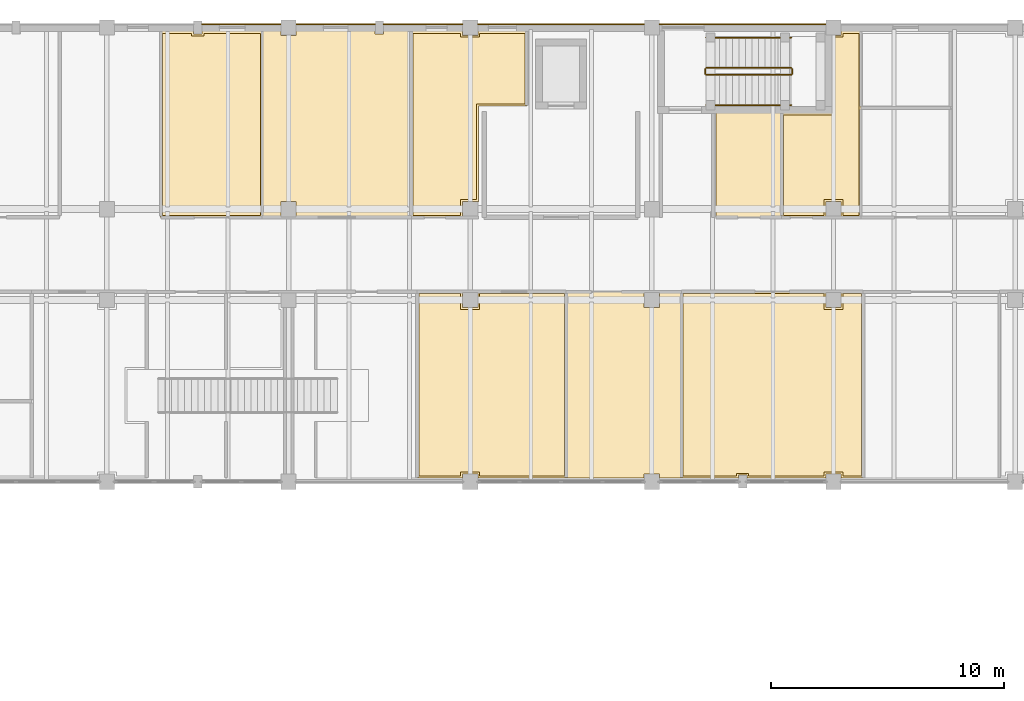
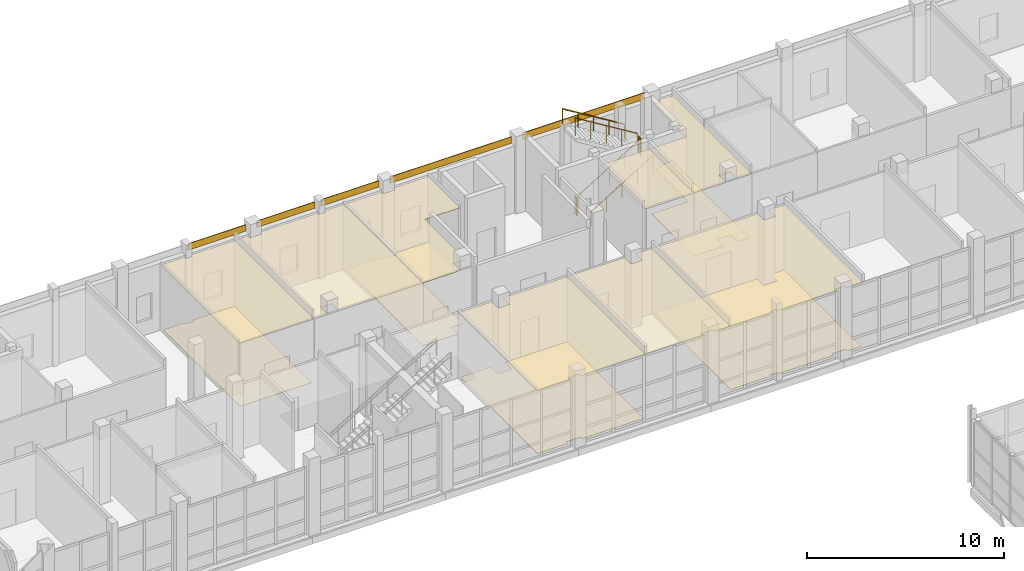
# One storey, part 125 of 131: 18 coverings, 6 railings.
"""IFC4 building model written with IfcOpenShell, lengths in metres."""

from ifc_helpers import new_model, si_unit, direction, frame, origin, origin_2d, place, context, subcontext, project, spatial, polyline, rectangle, circle, outline, extrude, material, layer, layer_set, type_object, element, save


model = new_model("IFC4")

# Units and contexts
model_context = context("Model", 3, precision=1e-05, world=origin(), true_north=direction((0.0, 1.0)))
body_context = subcontext(model_context, "Body", "Model", "MODEL_VIEW")
ifc_project = project(units=[si_unit("LENGTHUNIT", "METRE"), si_unit("AREAUNIT", "SQUARE_METRE"), si_unit("VOLUMEUNIT", "CUBIC_METRE"), si_unit("PLANEANGLEUNIT", "RADIAN"), si_unit("MASSUNIT", "GRAM", prefix="KILO")], contexts=[model_context])

# Site, building, storey
site_placement = place(None, origin())
site = spatial("IfcSite", under=ifc_project, at=site_placement, CompositionType="ELEMENT")
building_placement = place(site_placement, origin())
building = spatial("IfcBuilding", under=site, at=building_placement, Name="Celorna Specialist Clinic", CompositionType="ELEMENT")
storey_placement = place(building_placement, origin())
storey = spatial("IfcBuildingStorey", under=building, at=storey_placement, Name="L00", CompositionType="ELEMENT", Elevation=0.0)

# Coverings
ifc_material_1 = material(Name="Hygienic acoustic mineral-fibre ceiling")
ifc_layer_1 = layer(ifc_material_1, 0.030029296875, Name="Hygienic acoustic mineral-fibre ceiling")
ifc_layer_set_1 = layer_set([ifc_layer_1], Name="Hygienic acoustic mineral-fibre ceiling")
covering_type_1 = type_object("IfcCoveringType", Name="CE-01", PredefinedType="CEILING", material=ifc_layer_set_1)
covering_1_placement = place(storey_placement, frame((0.0, 0.0, 3.989990234375)))
element("IfcCovering", 1, at=covering_1_placement, inside=storey, type_object=covering_type_1, Name="Acoustic ceiling L00-062", PredefinedType="CEILING", context=body_context, shape_type="SweptSolid", body=[
    extrude(outline(polyline([(108.8798828125, 104.6650390625), (108.8798828125, 104.6298828125), (108.8701171875, 104.6298828125), (108.8701171875, 103.969970703125), (109.530029296875, 103.969970703125), (109.530029296875, 104.6298828125), (109.52001953125, 104.6298828125), (109.52001953125, 104.6650390625), (113.3349609375, 104.6650390625), (113.3349609375, 96.655029296875), (109.530029296875, 96.655029296875), (109.530029296875, 96.830078125), (108.8701171875, 96.830078125), (108.8701171875, 96.655029296875), (106.905029296875, 96.655029296875), (106.905029296875, 104.6650390625), (108.8798828125, 104.6650390625)])), origin(), (0.0, 0.0, 1.0), 0.030029296875),
])
covering_2_placement = place(storey_placement, frame((0.0, 0.0, 3.989990234375)))
element("IfcCovering", 2, at=covering_2_placement, inside=storey, type_object=covering_type_1, Name="Acoustic ceiling L00-063", PredefinedType="CEILING", context=body_context, shape_type="SweptSolid", body=[
    extrude(outline(polyline([(116.679931640625, 104.6650390625), (116.679931640625, 104.6298828125), (116.669921875, 104.6298828125), (116.669921875, 103.969970703125), (117.330078125, 103.969970703125), (117.330078125, 104.6298828125), (117.320068359375, 104.6298828125), (117.320068359375, 104.6650390625), (118.284912109375, 104.6650390625), (118.284912109375, 96.655029296875), (117.330078125, 96.655029296875), (117.330078125, 96.830078125), (116.669921875, 96.830078125), (116.669921875, 96.655029296875), (113.304931640625, 96.655029296875), (113.304931640625, 104.6650390625), (116.679931640625, 104.6650390625)])), origin(), (0.0, 0.0, 1.0), 0.030029296875),
])
covering_3_placement = place(storey_placement, frame((0.0, 0.0, 3.989990234375)))
element("IfcCovering", 3, at=covering_3_placement, inside=storey, type_object=covering_type_1, Name="Acoustic ceiling L00-064", PredefinedType="CEILING", context=body_context, shape_type="SweptSolid", body=[
    extrude(outline(polyline([(124.47998046875, 104.6650390625), (124.47998046875, 104.6298828125), (124.469970703125, 104.6298828125), (124.469970703125, 103.969970703125), (125.1298828125, 103.969970703125), (125.1298828125, 104.6298828125), (125.1201171875, 104.6298828125), (125.1201171875, 104.6650390625), (126.0849609375, 104.6650390625), (126.0849609375, 96.655029296875), (125.1298828125, 96.655029296875), (125.1298828125, 96.830078125), (124.469970703125, 96.830078125), (124.469970703125, 96.655029296875), (121.080078125, 96.655029296875), (121.080078125, 96.780029296875), (120.719970703125, 96.780029296875), (120.719970703125, 96.655029296875), (118.2548828125, 96.655029296875), (118.2548828125, 104.6650390625), (124.47998046875, 104.6650390625)])), origin(), (0.0, 0.0, 1.0), 0.030029296875),
])
covering_4_placement = place(storey_placement, frame((0.0, 0.0, 3.989990234375)))
element("IfcCovering", 4, at=covering_4_placement, inside=storey, type_object=covering_type_1, Name="Acoustic ceiling L00-076", PredefinedType="CEILING", context=body_context, shape_type="SweptSolid", body=[
    extrude(outline(polyline([(97.320068359375, 115.844970703125), (97.320068359375, 115.719970703125), (97.679931640625, 115.719970703125), (97.679931640625, 115.844970703125), (100.284912109375, 115.844970703125), (100.284912109375, 107.8349609375), (95.905029296875, 107.8349609375), (95.905029296875, 115.844970703125), (97.320068359375, 115.844970703125)])), origin(), (0.0, 0.0, 1.0), 0.030029296875),
])
covering_5_placement = place(storey_placement, frame((0.0, 0.0, 3.989990234375)))
element("IfcCovering", 5, at=covering_5_placement, inside=storey, type_object=covering_type_1, Name="Acoustic ceiling L00-077", PredefinedType="CEILING", context=body_context, shape_type="SweptSolid", body=[
    extrude(outline(polyline([(101.070068359375, 115.844970703125), (101.070068359375, 115.669921875), (101.72998046875, 115.669921875), (101.72998046875, 115.844970703125), (105.1201171875, 115.844970703125), (105.1201171875, 115.719970703125), (105.47998046875, 115.719970703125), (105.47998046875, 115.844970703125), (106.68505859375, 115.844970703125), (106.68505859375, 107.8349609375), (101.719970703125, 107.8349609375), (101.719970703125, 107.8701171875), (101.72998046875, 107.8701171875), (101.72998046875, 108.530029296875), (101.070068359375, 108.530029296875), (101.070068359375, 107.8701171875), (101.080078125, 107.8701171875), (101.080078125, 107.8349609375), (100.2548828125, 107.8349609375), (100.2548828125, 115.844970703125), (101.070068359375, 115.844970703125)])), origin(), (0.0, 0.0, 1.0), 0.030029296875),
])
covering_6_placement = place(storey_placement, frame((0.0, 0.0, 3.989990234375)))
element("IfcCovering", 6, at=covering_6_placement, inside=storey, type_object=covering_type_1, Name="Acoustic ceiling L00-078", PredefinedType="CEILING", context=body_context, shape_type="SweptSolid", body=[
    extrude(outline(polyline([(108.8701171875, 115.844970703125), (108.8701171875, 115.669921875), (109.530029296875, 115.669921875), (109.530029296875, 115.844970703125), (111.635009765625, 115.844970703125), (111.635009765625, 112.635009765625), (109.56494140625, 112.635009765625), (109.56494140625, 108.52001953125), (109.530029296875, 108.52001953125), (109.530029296875, 108.530029296875), (108.8701171875, 108.530029296875), (108.8701171875, 107.8701171875), (108.8798828125, 107.8701171875), (108.8798828125, 107.8349609375), (106.655029296875, 107.8349609375), (106.655029296875, 115.844970703125), (108.8701171875, 115.844970703125)])), origin(), (0.0, 0.0, 1.0), 0.030029296875),
])
covering_7_placement = place(storey_placement, frame((0.0, 0.0, 3.989990234375)))
element("IfcCovering", 7, at=covering_7_placement, inside=storey, type_object=covering_type_1, Name="Acoustic ceiling L00-079", PredefinedType="CEILING", context=body_context, shape_type="SweptSolid", body=[
    extrude(outline(polyline([(119.7451171875, 112.3349609375), (122.5849609375, 112.3349609375), (122.5849609375, 107.8349609375), (119.7451171875, 107.8349609375), (119.7451171875, 112.3349609375)])), origin(), (0.0, 0.0, 1.0), 0.030029296875),
])
covering_8_placement = place(storey_placement, frame((0.0, 0.0, 3.989990234375)))
element("IfcCovering", 8, at=covering_8_placement, inside=storey, type_object=covering_type_1, Name="Acoustic ceiling L00-080", PredefinedType="CEILING", context=body_context, shape_type="SweptSolid", body=[
    extrude(outline(polyline([(122.554931640625, 107.8349609375), (122.554931640625, 112.3349609375), (124.72509765625, 112.3349609375), (124.72509765625, 115.669921875), (125.1298828125, 115.669921875), (125.1298828125, 115.844970703125), (125.985107421875, 115.844970703125), (125.985107421875, 107.8349609375), (125.1201171875, 107.8349609375), (125.1201171875, 107.8701171875), (125.1298828125, 107.8701171875), (125.1298828125, 108.530029296875), (124.469970703125, 108.530029296875), (124.469970703125, 107.8701171875), (124.47998046875, 107.8701171875), (124.47998046875, 107.8349609375), (122.554931640625, 107.8349609375)])), origin(), (0.0, 0.0, 1.0), 0.030029296875),
])
ifc_material_2 = material(Name="Pero Pinheiro Lioz limestone rainscreen cladding", Category="masonry")
ifc_layer_2 = layer(ifc_material_2, 0.044921875, Name="Pero Pinheiro Lioz limestone rainscreen cladding")
ifc_layer_set_2 = layer_set([ifc_layer_2], Name="Pero Pinheiro Lioz limestone rainscreen cladding")
covering_type_2 = type_object("IfcCoveringType", Name="CL-01", PredefinedType="CLADDING", material=ifc_layer_set_2)
for number, where, z_axis, x_axis, name in (
    (9, (99.375, 116.1474609375, 4.14013671875), (0.0, 0.0, 1.0), (1.0, 0.0, 0.0), "Lioz spandrel cladding #170"),
    (10, (103.425048828125, 116.1474609375, 4.14013671875), (0.0, 0.0, 1.0), (1.0, 0.0, 0.0), "Lioz spandrel cladding #171"),
    (11, (107.175048828125, 116.1474609375, 4.14013671875), (0.0, 0.0, 1.0), (1.0, 0.0, 0.0), "Lioz spandrel cladding #172"),
):
    element("IfcCovering", number, at=place(storey_placement, frame(where, z_axis=z_axis, x_axis=x_axis)), inside=storey, type_object=covering_type_2, Name=name, PredefinedType="CLADDING", context=body_context, shape_type="SweptSolid", body=[
        extrude(rectangle(XDim=3.39990234375, YDim=0.044921875, at=origin_2d()), origin(), (0.0, 0.0, 1.0), 0.39990234375),
    ])
for number, where, z_axis, x_axis, name in (
    (12, (113.10009765625, 116.1474609375, 4.14013671875), (0.0, 0.0, 1.0), (1.0, 0.0, 0.0), "Lioz spandrel cladding #173"),
    (13, (120.89990234375, 116.1474609375, 4.14013671875), (0.0, 0.0, 1.0), (1.0, 0.0, 0.0), "Lioz spandrel cladding #174"),
):
    element("IfcCovering", number, at=place(storey_placement, frame(where, z_axis=z_axis, x_axis=x_axis)), inside=storey, type_object=covering_type_2, Name=name, PredefinedType="CLADDING", context=body_context, shape_type="SweptSolid", body=[
        extrude(rectangle(XDim=7.14990234375, YDim=0.044921875, at=origin_2d()), origin(), (0.0, 0.0, 1.0), 0.39990234375),
    ])
ifc_material_3 = material(Name="Seamless antimicrobial clinical vinyl and Lioz terrazzo flooring")
ifc_layer_3 = layer(ifc_material_3, 0.02001953125, Name="Seamless antimicrobial clinical vinyl and Lioz terrazzo flooring")
ifc_layer_set_3 = layer_set([ifc_layer_3], Name="Seamless antimicrobial clinical vinyl and Lioz terrazzo flooring")
covering_type_3 = type_object("IfcCoveringType", Name="FL-01", PredefinedType="FLOORING", material=ifc_layer_set_3)
covering_9_placement = place(storey_placement, origin())
element("IfcCovering", 14, at=covering_9_placement, inside=storey, type_object=covering_type_3, Name="Antimicrobial clinical flooring L00-062", PredefinedType="FLOORING", context=body_context, shape_type="SweptSolid", body=[
    extrude(outline(polyline([(106.9951171875, 104.574951171875), (108.7900390625, 104.574951171875), (108.7900390625, 103.889892578125), (109.610107421875, 103.889892578125), (109.610107421875, 104.574951171875), (113.2451171875, 104.574951171875), (113.2451171875, 96.7451171875), (109.610107421875, 96.7451171875), (109.610107421875, 96.909912109375), (108.7900390625, 96.909912109375), (108.7900390625, 96.7451171875), (106.9951171875, 96.7451171875), (106.9951171875, 104.574951171875)])), origin(), (0.0, 0.0, 1.0), 0.02001953125),
])
covering_10_placement = place(storey_placement, origin())
element("IfcCovering", 15, at=covering_10_placement, inside=storey, type_object=covering_type_3, Name="Antimicrobial clinical flooring L00-064", PredefinedType="FLOORING", context=body_context, shape_type="SweptSolid", body=[
    extrude(outline(polyline([(118.344970703125, 104.574951171875), (124.389892578125, 104.574951171875), (124.389892578125, 103.889892578125), (125.2099609375, 103.889892578125), (125.2099609375, 104.574951171875), (125.9951171875, 104.574951171875), (125.9951171875, 96.7451171875), (125.2099609375, 96.7451171875), (125.2099609375, 96.909912109375), (124.389892578125, 96.909912109375), (124.389892578125, 96.7451171875), (121.159912109375, 96.7451171875), (121.159912109375, 96.860107421875), (120.639892578125, 96.860107421875), (120.639892578125, 96.7451171875), (118.344970703125, 96.7451171875), (118.344970703125, 104.574951171875)])), origin(), (0.0, 0.0, 1.0), 0.02001953125),
])
covering_11_placement = place(storey_placement, origin())
element("IfcCovering", 16, at=covering_11_placement, inside=storey, type_object=covering_type_3, Name="Antimicrobial clinical flooring L00-076", PredefinedType="FLOORING", context=body_context, shape_type="SweptSolid", body=[
    extrude(outline(polyline([(95.9951171875, 115.7548828125), (97.239990234375, 115.7548828125), (97.239990234375, 115.639892578125), (97.760009765625, 115.639892578125), (97.760009765625, 115.7548828125), (100.195068359375, 115.7548828125), (100.195068359375, 107.925048828125), (95.9951171875, 107.925048828125), (95.9951171875, 115.7548828125)])), origin(), (0.0, 0.0, 1.0), 0.02001953125),
])
covering_12_placement = place(storey_placement, origin())
element("IfcCovering", 17, at=covering_12_placement, inside=storey, type_object=covering_type_3, Name="Antimicrobial clinical flooring L00-078", PredefinedType="FLOORING", context=body_context, shape_type="SweptSolid", body=[
    extrude(outline(polyline([(106.7451171875, 115.7548828125), (108.7900390625, 115.7548828125), (108.7900390625, 115.590087890625), (109.610107421875, 115.590087890625), (109.610107421875, 115.7548828125), (111.544921875, 115.7548828125), (111.544921875, 112.72509765625), (109.47509765625, 112.72509765625), (109.47509765625, 108.610107421875), (108.7900390625, 108.610107421875), (108.7900390625, 107.925048828125), (106.7451171875, 107.925048828125), (106.7451171875, 115.7548828125)])), origin(), (0.0, 0.0, 1.0), 0.02001953125),
])
covering_13_placement = place(storey_placement, origin())
element("IfcCovering", 18, at=covering_13_placement, inside=storey, type_object=covering_type_3, Name="Antimicrobial clinical flooring L00-080", PredefinedType="FLOORING", context=body_context, shape_type="SweptSolid", body=[
    extrude(outline(polyline([(124.389892578125, 107.925048828125), (122.64501953125, 107.925048828125), (122.64501953125, 112.2451171875), (124.81494140625, 112.2451171875), (124.81494140625, 115.590087890625), (125.2099609375, 115.590087890625), (125.2099609375, 115.7548828125), (125.89501953125, 115.7548828125), (125.89501953125, 107.925048828125), (125.2099609375, 107.925048828125), (125.2099609375, 108.610107421875), (124.389892578125, 108.610107421875), (124.389892578125, 107.925048828125)])), origin(), (0.0, 0.0, 1.0), 0.02001953125),
])

# Railings
ifc_material_4 = material(Name="Powder-coated steel S355", Category="steel")
railing_type_1 = type_object("IfcRailingType", Name="GR-01", PredefinedType="GUARDRAIL", material=ifc_material_4)
railing_1_placement = place(storey_placement, frame((119.340087890625, 113.969970703125, 0.17138671875)))
element("IfcRailing", 19, at=railing_1_placement, inside=storey, type_object=railing_type_1, Name="L00 ST-03 stair guard 1", PredefinedType="GUARDRAIL", context=body_context, shape_type="SweptSolid", body=[
    extrude(circle(Radius=0.02392578125, at=origin_2d()), frame((0.0, 0.0, 1.09619140625), z_axis=(0.852850264322, 0.0, 0.5221555579), x_axis=(0.0, 1.0, 0.0)), (0.0, 0.0, 1.0), 4.267822265625),
    extrude(circle(Radius=0.02099609375, at=origin_2d()), origin(), (0.0, 0.0, 1.0), 1.072021484375),
    extrude(circle(Radius=0.02099609375, at=origin_2d()), frame((0.909912109375, 0.0, 0.55712890625)), (0.0, 0.0, 1.0), 1.072021484375),
    extrude(circle(Radius=0.02099609375, at=origin_2d()), frame((1.81982421875, 0.0, 1.1142578125)), (0.0, 0.0, 1.0), 1.072021484375),
    extrude(circle(Radius=0.02099609375, at=origin_2d()), frame((2.72998046875, 0.0, 1.67138671875)), (0.0, 0.0, 1.0), 1.072021484375),
    extrude(circle(Radius=0.02099609375, at=origin_2d()), frame((3.639892578125, 0.0, 2.228515625)), (0.0, 0.0, 1.0), 1.072021484375),
])
railing_2_placement = place(storey_placement, frame((123.030029296875, 114.02001953125, 2.39990234375)))
element("IfcRailing", 20, at=railing_2_placement, inside=storey, type_object=railing_type_1, Name="L00 ST-03 stair guard 2", PredefinedType="GUARDRAIL", context=body_context, shape_type="SweptSolid", body=[
    extrude(circle(Radius=0.02392578125, at=origin_2d()), frame((0.0, 0.0, 1.09619140625), z_axis=(0.0, 1.0, 0.0), x_axis=(-1.0, 0.0, 0.0)), (0.0, 0.0, 1.0), 0.199951171875),
    extrude(circle(Radius=0.02099609375, at=origin_2d()), origin(), (0.0, 0.0, 1.0), 1.072021484375),
    extrude(circle(Radius=0.02099609375, at=origin_2d()), frame((0.0, 0.199951171875, 0.0)), (0.0, 0.0, 1.0), 1.072021484375),
])
railing_3_placement = place(storey_placement, frame((122.97998046875, 114.27001953125, 2.571533203125)))
element("IfcRailing", 21, at=railing_3_placement, inside=storey, type_object=railing_type_1, Name="L00 ST-03 stair guard 3", PredefinedType="GUARDRAIL", context=body_context, shape_type="SweptSolid", body=[
    extrude(circle(Radius=0.02392578125, at=origin_2d()), frame((0.0, 0.0, 1.09619140625), z_axis=(-0.852850264322, 0.0, 0.5221555579), x_axis=(0.0, -1.0, 0.0)), (0.0, 0.0, 1.0), 4.267822265625),
    extrude(circle(Radius=0.02099609375, at=origin_2d()), origin(), (0.0, 0.0, 1.0), 1.072021484375),
    extrude(circle(Radius=0.02099609375, at=origin_2d()), frame((-0.909912109375, 0.0, 0.55712890625)), (0.0, 0.0, 1.0), 1.072021484375),
    extrude(circle(Radius=0.02099609375, at=origin_2d()), frame((-1.81982421875, 0.0, 1.1142578125)), (0.0, 0.0, 1.0), 1.072021484375),
    extrude(circle(Radius=0.02099609375, at=origin_2d()), frame((-2.72998046875, 0.0, 1.67138671875)), (0.0, 0.0, 1.0), 1.072021484375),
    extrude(circle(Radius=0.02099609375, at=origin_2d()), frame((-3.639892578125, 0.0, 2.228515625)), (0.0, 0.0, 1.0), 1.072021484375),
])
railing_4_placement = place(storey_placement, frame((119.2900390625, 114.02001953125, 0.0)))
element("IfcRailing", 22, at=railing_4_placement, inside=storey, type_object=railing_type_1, Name="L00 ST-03 stair guard 4", PredefinedType="GUARDRAIL", context=body_context, shape_type="SweptSolid", body=[
    extrude(circle(Radius=0.02392578125, at=origin_2d()), frame((0.0, 0.0, 1.09619140625), z_axis=(0.0, 1.0, 0.0), x_axis=(-1.0, 0.0, 0.0)), (0.0, 0.0, 1.0), 0.199951171875),
    extrude(circle(Radius=0.02099609375, at=origin_2d()), origin(), (0.0, 0.0, 1.0), 1.072021484375),
    extrude(circle(Radius=0.02099609375, at=origin_2d()), frame((0.0, 0.199951171875, 0.0)), (0.0, 0.0, 1.0), 1.072021484375),
])
ifc_material_5 = material(Name="Brushed stainless steel handrail", Category="steel")
railing_type_2 = type_object("IfcRailingType", Name="HR-01", PredefinedType="HANDRAIL", material=ifc_material_5)
railing_5_placement = place(storey_placement, frame((119.340087890625, 112.669921875, 0.17138671875)))
element("IfcRailing", 23, at=railing_5_placement, inside=storey, type_object=railing_type_2, Name="L00 ST-03 stair handrail 1", PredefinedType="HANDRAIL", context=body_context, shape_type="SweptSolid", body=[
    extrude(circle(Radius=0.02392578125, at=origin_2d()), frame((0.0, 0.0, 0.8759765625), z_axis=(0.852850264322, 0.0, 0.5221555579), x_axis=(0.0, 1.0, 0.0)), (0.0, 0.0, 1.0), 4.267822265625),
    extrude(circle(Radius=0.02099609375, at=origin_2d()), origin(), (0.0, 0.0, 1.0), 0.851806640625),
    extrude(circle(Radius=0.02099609375, at=origin_2d()), frame((0.909912109375, 0.0, 0.55712890625)), (0.0, 0.0, 1.0), 0.851806640625),
    extrude(circle(Radius=0.02099609375, at=origin_2d()), frame((1.81982421875, 0.0, 1.1142578125)), (0.0, 0.0, 1.0), 0.851806640625),
    extrude(circle(Radius=0.02099609375, at=origin_2d()), frame((2.72998046875, 0.0, 1.67138671875)), (0.0, 0.0, 1.0), 0.851806640625),
    extrude(circle(Radius=0.02099609375, at=origin_2d()), frame((3.639892578125, 0.0, 2.228515625)), (0.0, 0.0, 1.0), 0.851806640625),
])
railing_6_placement = place(storey_placement, frame((122.97998046875, 115.570068359375, 2.571533203125)))
element("IfcRailing", 24, at=railing_6_placement, inside=storey, type_object=railing_type_2, Name="L00 ST-03 stair handrail 2", PredefinedType="HANDRAIL", context=body_context, shape_type="SweptSolid", body=[
    extrude(circle(Radius=0.02392578125, at=origin_2d()), frame((0.0, 0.0, 0.8759765625), z_axis=(-0.852850264322, 0.0, 0.5221555579), x_axis=(0.0, -1.0, 0.0)), (0.0, 0.0, 1.0), 4.267822265625),
    extrude(circle(Radius=0.02099609375, at=origin_2d()), origin(), (0.0, 0.0, 1.0), 0.851806640625),
    extrude(circle(Radius=0.02099609375, at=origin_2d()), frame((-0.909912109375, 0.0, 0.55712890625)), (0.0, 0.0, 1.0), 0.851806640625),
    extrude(circle(Radius=0.02099609375, at=origin_2d()), frame((-1.81982421875, 0.0, 1.1142578125)), (0.0, 0.0, 1.0), 0.851806640625),
    extrude(circle(Radius=0.02099609375, at=origin_2d()), frame((-2.72998046875, 0.0, 1.67138671875)), (0.0, 0.0, 1.0), 0.851806640625),
    extrude(circle(Radius=0.02099609375, at=origin_2d()), frame((-3.639892578125, 0.0, 2.228515625)), (0.0, 0.0, 1.0), 0.851806640625),
])

save(model, "model.ifc")
